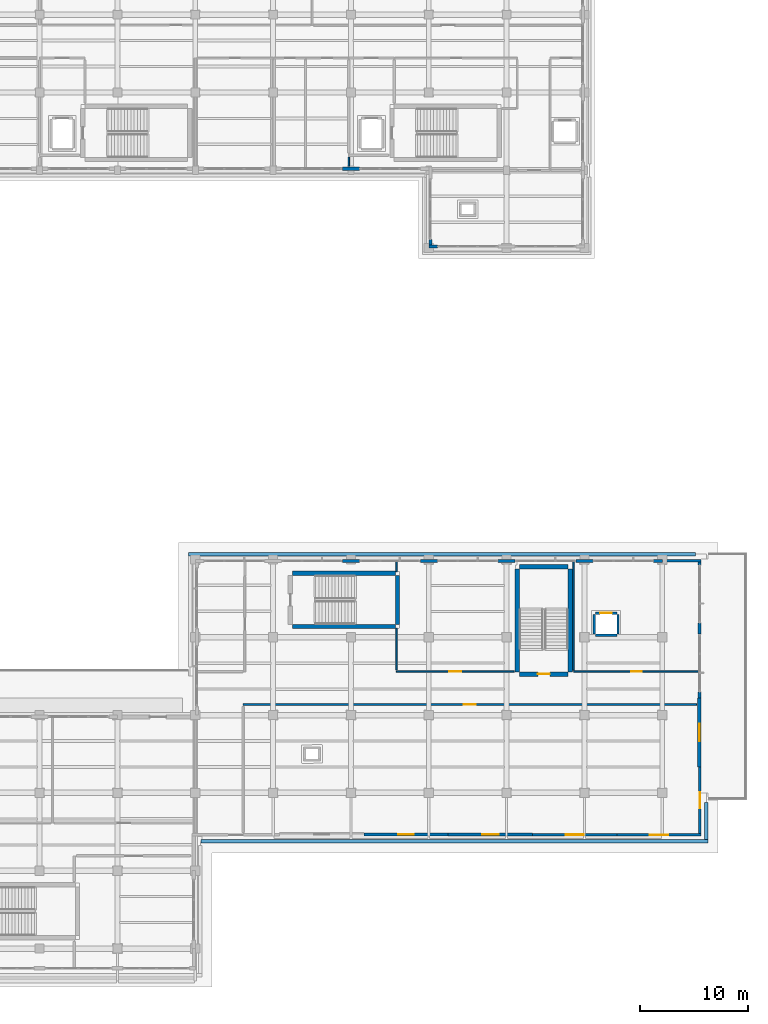
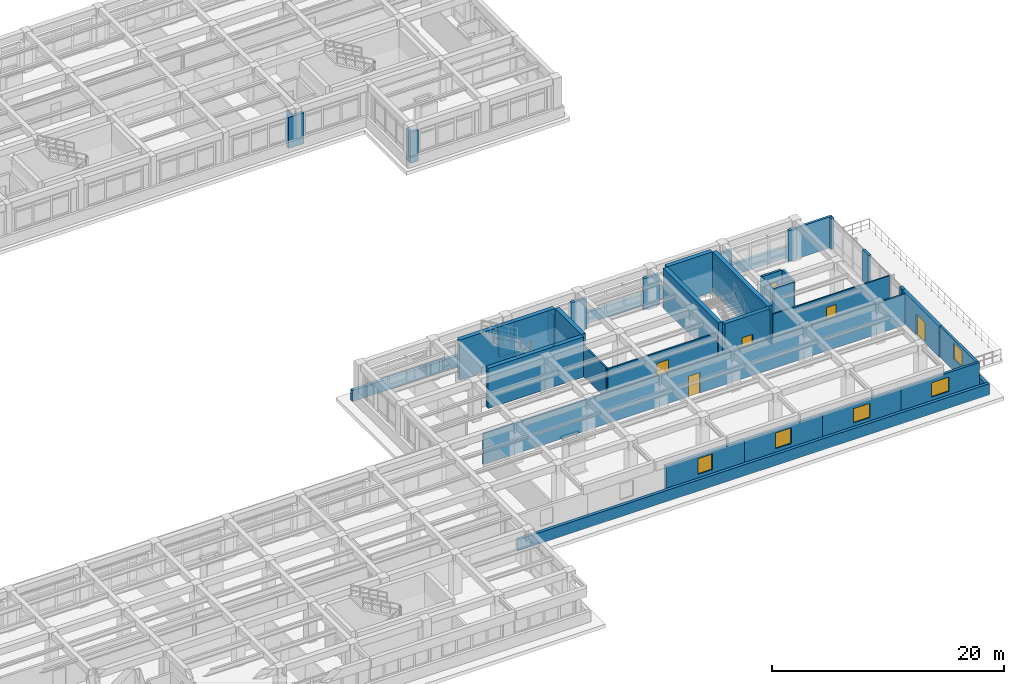
# One storey, part 87 of 98: 39 walls, 6 doors, 5 windows, 11 openings.
"""IFC4 building model written with IfcOpenShell, lengths in metres."""

from ifc_helpers import new_model, si_unit, direction, frame, frame_2d, origin, place, context, subcontext, project, spatial, rectangle, extrude, material, layer, layer_set, type_object, element, fill, save


model = new_model("IFC4")

# Units and contexts
model_context = context("Model", 3, precision=1e-05, world=origin(), true_north=direction((0.0, 1.0)))
body_context = subcontext(model_context, "Body", "Model", "MODEL_VIEW")
ifc_project = project(units=[si_unit("LENGTHUNIT", "METRE"), si_unit("AREAUNIT", "SQUARE_METRE"), si_unit("VOLUMEUNIT", "CUBIC_METRE"), si_unit("PLANEANGLEUNIT", "RADIAN"), si_unit("MASSUNIT", "GRAM", prefix="KILO")], contexts=[model_context])

# Site, building, storey
site_placement = place(None, origin())
site = spatial("IfcSite", under=ifc_project, at=site_placement, CompositionType="ELEMENT")
building_placement = place(site_placement, origin())
building = spatial("IfcBuilding", under=site, at=building_placement, Name="Solenvale Faculty of Natural Sciences", CompositionType="ELEMENT")
storey_placement = place(building_placement, frame((0.0, 0.0, 9.0)))
storey = spatial("IfcBuildingStorey", under=building, at=storey_placement, Name="L02", CompositionType="ELEMENT", Elevation=9.0)

# Walls
ifc_material_1 = material(Name="Architectural bronze concrete 40 MPa", Category="concrete")
ifc_layer_1 = layer(ifc_material_1, 0.300048828125)
ifc_layer_set_1 = layer_set([ifc_layer_1], Name="Architectural bronze concrete 40 MPa")
wall_type_1 = type_object("IfcWallType", Name="WL-EXT-BRZ-300", PredefinedType="STANDARD", material=ifc_layer_set_1)
wall_1_placement = place(storey_placement, frame((114.580078125, 58.069091796875, 0.0), z_axis=(0.0, 0.0, 1.0), x_axis=(1.0, 0.0, 0.0)))
element("IfcWall", 1, at=wall_1_placement, inside=storey, type_object=wall_type_1, Name="L02 Sliding-Tray Rough Bronze Concrete Band 2", PredefinedType="PARAPET", context=body_context, shape_type="SweptSolid", body=[
    extrude(rectangle(XDim=46.889892578125, YDim=0.300048828125, at=frame_2d((23.44482421875, 0.0))), origin(), (0.0, 0.0, 1.0), 1.179931640625),
])
wall_2_placement = place(storey_placement, frame((162.469970703125, 35.1298828125, 0.0), z_axis=(0.0, 0.0, 1.0), x_axis=(-0.000283065589, -0.999999959937, 0.0)))
element("IfcWall", 2, at=wall_2_placement, inside=storey, type_object=wall_type_1, Name="L02 Sliding-Tray Rough Bronze Concrete Band 3", PredefinedType="PARAPET", context=body_context, shape_type="SweptSolid", body=[
    extrude(rectangle(XDim=3.449951171875, YDim=0.300048828125, at=frame_2d((1.72509765625, 0.0))), origin(), (0.0, 0.0, 1.0), 1.179931640625),
])
wall_3_placement = place(storey_placement, frame((162.618896484375, 31.530029296875, 0.0), z_axis=(0.0, 0.0, 1.0), x_axis=(-0.999999999783, 2.0836046e-05, 0.0)))
element("IfcWall", 3, at=wall_3_placement, inside=storey, type_object=wall_type_1, Name="L02 Sliding-Tray Rough Bronze Concrete Band 4", PredefinedType="PARAPET", context=body_context, shape_type="SweptSolid", body=[
    extrude(rectangle(XDim=46.868896484375, YDim=0.300048828125, at=frame_2d((23.4345703125, 0.0))), origin(), (0.0, 0.0, 1.0), 1.179931640625),
])

# Wall, opening, window
ifc_material_2 = material(Name="Precast concrete 40 MPa", Category="concrete")
ifc_layer_2 = layer(ifc_material_2, 0.2451171875)
ifc_layer_set_2 = layer_set([ifc_layer_2], Name="Precast concrete 40 MPa")
wall_type_2 = type_object("IfcWallType", Name="WL-EXT-PRC-245", PredefinedType="STANDARD", material=ifc_layer_set_2)
wall_4_placement = place(storey_placement, frame((162.0, 32.12255859375, 0.0), z_axis=(0.0, 0.0, 1.0), x_axis=(-1.0, 0.0, 0.0)))
wall_4 = element("IfcWall", 4, at=wall_4_placement, inside=storey, type_object=wall_type_2, Name="L02 Exterior Wall 2.6", PredefinedType="STANDARD", context=body_context, shape_type="SweptSolid", body=[
    extrude(rectangle(XDim=7.800048828125, YDim=0.2451171875, at=frame_2d((3.89990234375, 0.0))), origin(), (0.0, 0.0, 1.0), 3.260009765625),
])
opening_1_placement = place(wall_4_placement, frame((3.02490234375, 0.0, 1.280029296875)))
opening_1 = element("IfcOpeningElement", 5, at=opening_1_placement, cuts=wall_4, Name="Opening WN-22", PredefinedType="OPENING", context=body_context, shape_type="SweptSolid", body=[
    extrude(rectangle(XDim=1.75, YDim=1.5, at=frame_2d((0.875, 0.75))), frame((0.0, 0.132568359375, 0.0), z_axis=(0.0, -1.0, 0.0), x_axis=(1.0, 0.0, 0.0)), (0.0, 0.0, 1.0), 0.26513671875),
])
ifc_material_3 = material(Name="Triple low-E insulated glass", Category="glass")
window_type_1 = type_object("IfcWindowType", Name="WN-1750x1500", PartitioningType="SINGLE_PANEL", PredefinedType="WINDOW", material=ifc_material_3)
window_1_placement = place(opening_1_placement, origin())
window_1 = element("IfcWindow", 6, at=window_1_placement, inside=storey, type_object=window_type_1, Name="L02 Window 2.6", OverallHeight=1.5, OverallWidth=1.75, PartitioningType="SINGLE_PANEL", PredefinedType="WINDOW", context=body_context, shape_type="SweptSolid", body=[
    extrude(rectangle(XDim=1.75, YDim=1.5, at=frame_2d((0.875, 0.75))), frame((0.0, 0.030029296875, 0.0), z_axis=(0.0, -1.0, 0.0), x_axis=(1.0, 0.0, 0.0)), (0.0, 0.0, 1.0), 0.06005859375),
])
fill(opening_1, window_1)

wall_5_placement = place(storey_placement, frame((161.87744140625, 38.39990234375, 0.0), z_axis=(0.0, 0.0, 1.0), x_axis=(0.0, -1.0, 0.0)))
wall_5 = element("IfcWall", 7, at=wall_5_placement, inside=storey, type_object=wall_type_2, Name="L02 Exterior Wall 3.1", PredefinedType="STANDARD", context=body_context, shape_type="SweptSolid", body=[
    extrude(rectangle(XDim=6.15478515625, YDim=0.2451171875, at=frame_2d((3.077392578125, 0.0))), origin(), (0.0, 0.0, 1.0), 3.260009765625),
])
opening_2_placement = place(wall_5_placement, frame((2.35302734375, 0.0, 1.280029296875)))
opening_2 = element("IfcOpeningElement", 8, at=opening_2_placement, cuts=wall_5, Name="Opening WN-19", PredefinedType="OPENING", context=body_context, shape_type="SweptSolid", body=[
    extrude(rectangle(XDim=1.449951171875, YDim=1.64990234375, at=frame_2d((0.72509765625, 0.824951171875))), frame((0.0, 0.132568359375, 0.0), z_axis=(0.0, -1.0, 0.0), x_axis=(1.0, 0.0, 0.0)), (0.0, 0.0, 1.0), 0.26513671875),
])
window_type_2 = type_object("IfcWindowType", Name="WN-1450x1650", PartitioningType="SINGLE_PANEL", PredefinedType="WINDOW", material=ifc_material_3)
window_2_placement = place(opening_2_placement, origin())
window_2 = element("IfcWindow", 9, at=window_2_placement, inside=storey, type_object=window_type_2, Name="L02 Window 3.1", OverallHeight=1.64990234375, OverallWidth=1.449951171875, PartitioningType="SINGLE_PANEL", PredefinedType="WINDOW", context=body_context, shape_type="SweptSolid", body=[
    extrude(rectangle(XDim=1.449951171875, YDim=1.64990234375, at=frame_2d((0.72509765625, 0.824951171875))), frame((0.0, 0.030029296875, 0.0), z_axis=(0.0, -1.0, 0.0), x_axis=(1.0, 0.0, 0.0)), (0.0, 0.0, 1.0), 0.06005859375),
])
fill(opening_2, window_2)

# Wall
wall_6_placement = place(storey_placement, frame((158.39990234375, 57.4775390625, 0.0), z_axis=(0.0, 0.0, 1.0), x_axis=(1.0, 0.0, 0.0)))
element("IfcWall", 10, at=wall_6_placement, inside=storey, type_object=wall_type_2, Name="L02 Exterior Wall 4.1", PredefinedType="STANDARD", context=body_context, shape_type="SweptSolid", body=[
    extrude(rectangle(XDim=3.60009765625, YDim=0.2451171875, at=frame_2d((1.800048828125, 0.0))), origin(), (0.0, 0.0, 1.0), 3.260009765625),
])

# Wall, opening, window
ifc_layer_3 = layer(ifc_material_2, 0.264892578125)
ifc_layer_set_3 = layer_set([ifc_layer_3], Name="Precast concrete 40 MPa")
wall_type_3 = type_object("IfcWallType", Name="WL-EXT-PRC-265", PredefinedType="STANDARD", material=ifc_layer_set_3)
wall_7_placement = place(storey_placement, frame((154.199951171875, 32.132568359375, 0.0), z_axis=(0.0, 0.0, 1.0), x_axis=(-1.0, 0.0, 0.0)))
wall_7 = element("IfcWall", 11, at=wall_7_placement, inside=storey, type_object=wall_type_3, Name="L02 Exterior Wall 2.5", PredefinedType="STANDARD", context=body_context, shape_type="SweptSolid", body=[
    extrude(rectangle(XDim=7.800048828125, YDim=0.264892578125, at=frame_2d((3.89990234375, 0.0))), origin(), (0.0, 0.0, 1.0), 3.260009765625),
])
opening_3_placement = place(wall_7_placement, frame((3.074951171875, 0.0, 1.280029296875)))
opening_3 = element("IfcOpeningElement", 12, at=opening_3_placement, cuts=wall_7, Name="Opening WN-21", PredefinedType="OPENING", context=body_context, shape_type="SweptSolid", body=[
    extrude(rectangle(XDim=1.64990234375, YDim=1.5, at=frame_2d((0.824951171875, 0.75))), frame((0.0, 0.142333984375, 0.0), z_axis=(0.0, -1.0, 0.0), x_axis=(1.0, 0.0, 0.0)), (0.0, 0.0, 1.0), 0.284912109375),
])
window_type_3 = type_object("IfcWindowType", Name="WN-1650x1500", PartitioningType="SINGLE_PANEL", PredefinedType="WINDOW", material=ifc_material_3)
window_3_placement = place(opening_3_placement, origin())
window_3 = element("IfcWindow", 13, at=window_3_placement, inside=storey, type_object=window_type_3, Name="L02 Window 2.5", OverallHeight=1.5, OverallWidth=1.64990234375, PartitioningType="SINGLE_PANEL", PredefinedType="WINDOW", context=body_context, shape_type="SweptSolid", body=[
    extrude(rectangle(XDim=1.64990234375, YDim=1.5, at=frame_2d((0.824951171875, 0.75))), frame((0.0, 0.030029296875, 0.0), z_axis=(0.0, -1.0, 0.0), x_axis=(1.0, 0.0, 0.0)), (0.0, 0.0, 1.0), 0.06005859375),
])
fill(opening_3, window_3)

ifc_layer_4 = layer(ifc_material_2, 0.284912109375)
ifc_layer_set_4 = layer_set([ifc_layer_4], Name="Precast concrete 40 MPa")
wall_type_4 = type_object("IfcWallType", Name="WL-EXT-PRC-285", PredefinedType="STANDARD", material=ifc_layer_set_4)
wall_8_placement = place(storey_placement, frame((146.39990234375, 32.142578125, 0.0), z_axis=(0.0, 0.0, 1.0), x_axis=(-1.0, 0.0, 0.0)))
wall_8 = element("IfcWall", 14, at=wall_8_placement, inside=storey, type_object=wall_type_4, Name="L02 Exterior Wall 2.4", PredefinedType="STANDARD", context=body_context, shape_type="SweptSolid", body=[
    extrude(rectangle(XDim=7.7998046875, YDim=0.284912109375, at=frame_2d((3.89990234375, 0.0))), origin(), (0.0, 0.0, 1.0), 3.260009765625),
])
opening_4_placement = place(wall_8_placement, frame((3.125, 0.0, 1.280029296875)))
opening_4 = element("IfcOpeningElement", 15, at=opening_4_placement, cuts=wall_8, Name="Opening WN-20", PredefinedType="OPENING", context=body_context, shape_type="SweptSolid", body=[
    extrude(rectangle(XDim=1.550048828125, YDim=1.64990234375, at=frame_2d((0.77490234375, 0.824951171875))), frame((0.0, 0.15234375, 0.0), z_axis=(0.0, -1.0, 0.0), x_axis=(1.0, 0.0, 0.0)), (0.0, 0.0, 1.0), 0.304931640625),
])
window_type_4 = type_object("IfcWindowType", Name="WN-1550x1650", PartitioningType="SINGLE_PANEL", PredefinedType="WINDOW", material=ifc_material_3)
window_4_placement = place(opening_4_placement, origin())
window_4 = element("IfcWindow", 16, at=window_4_placement, inside=storey, type_object=window_type_4, Name="L02 Window 2.4", OverallHeight=1.64990234375, OverallWidth=1.550048828125, PartitioningType="SINGLE_PANEL", PredefinedType="WINDOW", context=body_context, shape_type="SweptSolid", body=[
    extrude(rectangle(XDim=1.550048828125, YDim=1.64990234375, at=frame_2d((0.77490234375, 0.824951171875))), frame((0.0, 0.030029296875, 0.0), z_axis=(0.0, -1.0, 0.0), x_axis=(1.0, 0.0, 0.0)), (0.0, 0.0, 1.0), 0.06005859375),
])
fill(opening_4, window_4)

# Walls
wall_9_placement = place(storey_placement, frame((161.857421875, 44.800048828125, 0.0), z_axis=(0.0, 0.0, 1.0), x_axis=(0.0, 1.0, 0.0)))
element("IfcWall", 17, at=wall_9_placement, inside=storey, type_object=wall_type_4, Name="L02 Facade Closure Pier 3.B3-L", PredefinedType="STANDARD", context=body_context, shape_type="SweptSolid", body=[
    extrude(rectangle(XDim=0.51806640625, YDim=0.284912109375, at=frame_2d((0.259033203125, 0.0))), origin(), (0.0, 0.0, 1.0), 3.260009765625),
])
wall_10_placement = place(storey_placement, frame((161.857421875, 50.681884765625, 0.0), z_axis=(0.0, 0.0, 1.0), x_axis=(0.0, 1.0, 0.0)))
element("IfcWall", 18, at=wall_10_placement, inside=storey, type_object=wall_type_4, Name="L02 Facade Closure Pier 3.B3-R", PredefinedType="STANDARD", context=body_context, shape_type="SweptSolid", body=[
    extrude(rectangle(XDim=1.0361328125, YDim=0.284912109375, at=frame_2d((0.51806640625, 0.0))), origin(), (0.0, 0.0, 1.0), 3.260009765625),
])
wall_11_placement = place(storey_placement, frame((161.857421875, 57.08203125, 0.0), z_axis=(0.0, 0.0, 1.0), x_axis=(0.0, 1.0, 0.0)))
element("IfcWall", 19, at=wall_11_placement, inside=storey, type_object=wall_type_4, Name="L02 Facade Closure Pier 3.B4-R", PredefinedType="STANDARD", context=body_context, shape_type="SweptSolid", body=[
    extrude(rectangle(XDim=0.27294921875, YDim=0.284912109375, at=frame_2d((0.136474609375, 0.0))), origin(), (0.0, 0.0, 1.0), 3.260009765625),
])
wall_12_placement = place(storey_placement, frame((158.39990234375, 57.45751953125, 0.0), z_axis=(0.0, 0.0, 1.0), x_axis=(-1.0, 0.0, 0.0)))
element("IfcWall", 20, at=wall_12_placement, inside=storey, type_object=wall_type_4, Name="L02 Facade Closure Pier 4.B2-L", PredefinedType="STANDARD", context=body_context, shape_type="SweptSolid", body=[
    extrude(rectangle(XDim=0.787841796875, YDim=0.284912109375, at=frame_2d((0.39404296875, 0.0))), origin(), (0.0, 0.0, 1.0), 3.260009765625),
])
wall_13_placement = place(storey_placement, frame((151.988037109375, 57.45751953125, 0.0), z_axis=(0.0, 0.0, 1.0), x_axis=(-1.0, 0.0, 0.0)))
element("IfcWall", 21, at=wall_13_placement, inside=storey, type_object=wall_type_4, Name="L02 Facade Closure Pier 4.B2-R", PredefinedType="STANDARD", context=body_context, shape_type="SweptSolid", body=[
    extrude(rectangle(XDim=1.575927734375, YDim=0.284912109375, at=frame_2d((0.7880859375, 0.0))), origin(), (0.0, 0.0, 1.0), 3.260009765625),
])
wall_14_placement = place(storey_placement, frame((144.7880859375, 57.45751953125, 0.0), z_axis=(0.0, 0.0, 1.0), x_axis=(-1.0, 0.0, 0.0)))
element("IfcWall", 22, at=wall_14_placement, inside=storey, type_object=wall_type_4, Name="L02 Facade Closure Pier 4.B3-R", PredefinedType="STANDARD", context=body_context, shape_type="SweptSolid", body=[
    extrude(rectangle(XDim=1.576171875, YDim=0.284912109375, at=frame_2d((0.7880859375, 0.0))), origin(), (0.0, 0.0, 1.0), 3.260009765625),
])
for number, where, z_axis, x_axis, name in (
    (23, (137.587890625, 57.45751953125, 0.0), (0.0, 0.0, 1.0), (-1.0, 0.0, 0.0), "L02 Facade Closure Pier 4.B4-R"),
    (24, (130.387939453125, 57.45751953125, 0.0), (0.0, 0.0, 1.0), (-1.0, 0.0, 0.0), "L02 Facade Closure Pier 4.B5-R"),
):
    element("IfcWall", number, at=place(storey_placement, frame(where, z_axis=z_axis, x_axis=x_axis)), inside=storey, type_object=wall_type_4, Name=name, PredefinedType="STANDARD", context=body_context, shape_type="SweptSolid", body=[
        extrude(rectangle(XDim=1.575927734375, YDim=0.284912109375, at=frame_2d((0.7880859375, 0.0))), origin(), (0.0, 0.0, 1.0), 3.260009765625),
    ])
wall_15_placement = place(storey_placement, frame((136.800048828125, 86.54248046875, 0.0), z_axis=(0.0, 0.0, 1.0), x_axis=(1.0, 0.0, 0.0)))
element("IfcWall", 25, at=wall_15_placement, inside=storey, type_object=wall_type_4, Name="L02 Facade Closure Pier 1.B1-L", PredefinedType="STANDARD", context=body_context, shape_type="SweptSolid", body=[
    extrude(rectangle(XDim=0.787841796875, YDim=0.284912109375, at=frame_2d((0.39404296875, 0.0))), origin(), (0.0, 0.0, 1.0), 3.260009765625),
])
wall_16_placement = place(storey_placement, frame((128.81201171875, 93.742431640625, 0.0), z_axis=(0.0, 0.0, 1.0), x_axis=(1.0, 0.0, 0.0)))
element("IfcWall", 26, at=wall_16_placement, inside=storey, type_object=wall_type_4, Name="L02 Facade Closure Pier 6.B7-R", PredefinedType="STANDARD", context=body_context, shape_type="SweptSolid", body=[
    extrude(rectangle(XDim=1.575927734375, YDim=0.284912109375, at=frame_2d((0.7880859375, 0.0))), origin(), (0.0, 0.0, 1.0), 3.260009765625),
])
wall_17_placement = place(storey_placement, frame((136.9423828125, 87.18798828125, 0.0), z_axis=(0.0, 0.0, 1.0), x_axis=(0.0, -1.0, 0.0)))
element("IfcWall", 27, at=wall_17_placement, inside=storey, type_object=wall_type_4, Name="L02 Facade Closure Pier 7.B1-R", PredefinedType="STANDARD", context=body_context, shape_type="SweptSolid", body=[
    extrude(rectangle(XDim=0.5029296875, YDim=0.284912109375, at=frame_2d((0.25146484375, 0.0))), origin(), (0.0, 0.0, 1.0), 3.260009765625),
])

# Wall, opening, window
ifc_layer_5 = layer(ifc_material_2, 0.304931640625)
ifc_layer_set_5 = layer_set([ifc_layer_5], Name="Precast concrete 40 MPa")
wall_type_5 = type_object("IfcWallType", Name="WL-EXT-PRC-305", PredefinedType="STANDARD", material=ifc_layer_set_5)
wall_18_placement = place(storey_placement, frame((138.60009765625, 32.152587890625, 0.0), z_axis=(0.0, 0.0, 1.0), x_axis=(-1.0, 0.0, 0.0)))
wall_18 = element("IfcWall", 28, at=wall_18_placement, inside=storey, type_object=wall_type_5, Name="L02 Exterior Wall 2.3", PredefinedType="STANDARD", context=body_context, shape_type="SweptSolid", body=[
    extrude(rectangle(XDim=7.800048828125, YDim=0.304931640625, at=frame_2d((3.89990234375, 0.0))), origin(), (0.0, 0.0, 1.0), 3.260009765625),
])
opening_5_placement = place(wall_18_placement, frame((3.175048828125, 0.0, 1.280029296875)))
opening_5 = element("IfcOpeningElement", 29, at=opening_5_placement, cuts=wall_18, Name="Opening WN-19", PredefinedType="OPENING", context=body_context, shape_type="SweptSolid", body=[
    extrude(rectangle(XDim=1.449951171875, YDim=1.64990234375, at=frame_2d((0.72509765625, 0.824951171875))), frame((0.0, 0.162353515625, 0.0), z_axis=(0.0, -1.0, 0.0), x_axis=(1.0, 0.0, 0.0)), (0.0, 0.0, 1.0), 0.324951171875),
])
window_5_placement = place(opening_5_placement, origin())
window_5 = element("IfcWindow", 30, at=window_5_placement, inside=storey, type_object=window_type_2, Name="L02 Window 2.3", OverallHeight=1.64990234375, OverallWidth=1.449951171875, PartitioningType="SINGLE_PANEL", PredefinedType="WINDOW", context=body_context, shape_type="SweptSolid", body=[
    extrude(rectangle(XDim=1.449951171875, YDim=1.64990234375, at=frame_2d((0.72509765625, 0.824951171875))), frame((0.0, 0.030029296875, 0.0), z_axis=(0.0, -1.0, 0.0), x_axis=(1.0, 0.0, 0.0)), (0.0, 0.0, 1.0), 0.06005859375),
])
fill(opening_5, window_5)

# Wall, opening, door
ifc_layer_6 = layer(ifc_material_2, 0.330078125)
ifc_layer_set_6 = layer_set([ifc_layer_6], Name="Precast concrete 40 MPa")
wall_type_6 = type_object("IfcWallType", Name="WL-EXT-PRC-330", PredefinedType="STANDARD", material=ifc_layer_set_6)
wall_19_placement = place(storey_placement, frame((161.8349609375, 44.800048828125, 0.0), z_axis=(0.0, 0.0, 1.0), x_axis=(0.0, -1.0, 0.0)))
wall_19 = element("IfcWall", 31, at=wall_19_placement, inside=storey, type_object=wall_type_6, Name="L02 Exterior Wall 3.2", PredefinedType="STANDARD", context=body_context, shape_type="SweptSolid", body=[
    extrude(rectangle(XDim=6.400146484375, YDim=0.330078125, at=frame_2d((3.2001953125, 0.0))), origin(), (0.0, 0.0, 1.0), 3.260009765625),
])
opening_6_placement = place(wall_19_placement, frame((2.39990234375, 0.0, 0.0)))
opening_6 = element("IfcOpeningElement", 32, at=opening_6_placement, cuts=wall_19, Name="Opening TD-37", PredefinedType="OPENING", context=body_context, shape_type="SweptSolid", body=[
    extrude(rectangle(XDim=1.60009765625, YDim=2.199951171875, at=frame_2d((0.800048828125, 1.10009765625))), frame((0.0, 0.175048828125, 0.0), z_axis=(0.0, -1.0, 0.0), x_axis=(1.0, 0.0, 0.0)), (0.0, 0.0, 1.0), 0.35009765625),
])
ifc_material_4 = material(Name="Anodised bronze aluminium", Category="aluminium")
door_type_1 = type_object("IfcDoorType", Name="DR-TER-1600x2200", OperationType="NOTDEFINED", PredefinedType="DOOR", material=ifc_material_4)
door_1_placement = place(opening_6_placement, origin())
door_1 = element("IfcDoor", 33, at=door_1_placement, inside=storey, type_object=door_type_1, Name="L02 Exterior Terrace Door TD-37", OperationType="DOUBLE_DOOR_SINGLE_SWING", OverallHeight=2.199951171875, OverallWidth=1.60009765625, PredefinedType="DOOR", context=body_context, shape_type="SweptSolid", body=[
    extrude(rectangle(XDim=1.60009765625, YDim=2.199951171875, at=frame_2d((0.800048828125, 1.10009765625))), frame((0.0, 0.02490234375, 0.0), z_axis=(0.0, -1.0, 0.0), x_axis=(1.0, 0.0, 0.0)), (0.0, 0.0, 1.0), 0.050048828125),
])
fill(opening_6, door_1)

ifc_material_5 = material(Name="Acoustic stud gypsum partition")
ifc_layer_7 = layer(ifc_material_5, 0.132080078125)
ifc_layer_set_7 = layer_set([ifc_layer_7], Name="Acoustic stud gypsum partition")
wall_type_7 = type_object("IfcWallType", Name="WL-OFF-132", PredefinedType="PARTITIONING", material=ifc_layer_set_7)
wall_20_placement = place(storey_placement, frame((161.81689453125, 47.219970703125, 0.0), z_axis=(0.0, 0.0, 1.0), x_axis=(-1.0, 0.0, 0.0)))
wall_20 = element("IfcWall", 34, at=wall_20_placement, inside=storey, type_object=wall_type_7, Name="L02 Faculty Staff Office Partition 2", PredefinedType="PARTITIONING", context=body_context, shape_type="SweptSolid", body=[
    extrude(rectangle(XDim=11.616943359375, YDim=0.132080078125, at=frame_2d((5.80859375, 0.0))), origin(), (0.0, 0.0, 1.0), 3.260009765625),
])
opening_7_placement = place(wall_20_placement, frame((5.333984375, 0.0, 0.0)))
opening_7 = element("IfcOpeningElement", 35, at=opening_7_placement, cuts=wall_20, Name="Opening D-L02-13", PredefinedType="OPENING", context=body_context, shape_type="SweptSolid", body=[
    extrude(rectangle(XDim=0.949951171875, YDim=2.10009765625, at=frame_2d((0.47509765625, 1.050048828125))), frame((0.0, 0.075927734375, 0.0), z_axis=(0.0, -1.0, 0.0), x_axis=(1.0, 0.0, 0.0)), (0.0, 0.0, 1.0), 0.152099609375),
])
ifc_material_6 = material(Name="Oak acoustic timber leaf", Category="wood")
door_type_2 = type_object("IfcDoorType", Name="DR-OFF-0950x2100", OperationType="NOTDEFINED", PredefinedType="DOOR", material=ifc_material_6)
door_2_placement = place(opening_7_placement, origin())
door_2 = element("IfcDoor", 36, at=door_2_placement, inside=storey, type_object=door_type_2, Name="L02 Faculty Staff Office Door", OperationType="SINGLE_SWING_RIGHT", OverallHeight=2.10009765625, OverallWidth=0.949951171875, PredefinedType="DOOR", context=body_context, shape_type="SweptSolid", body=[
    extrude(rectangle(XDim=0.949951171875, YDim=2.10009765625, at=frame_2d((0.47509765625, 1.050048828125))), frame((0.0, 0.02490234375, 0.0), z_axis=(0.0, -1.0, 0.0), x_axis=(1.0, 0.0, 0.0)), (0.0, 0.0, 1.0), 0.050048828125),
])
fill(opening_7, door_2)

# Walls
wall_21_placement = place(storey_placement, frame((150.199951171875, 47.364013671875, 0.0), z_axis=(0.0, 0.0, 1.0), x_axis=(0.0, 1.0, 0.0)))
element("IfcWall", 37, at=wall_21_placement, inside=storey, type_object=wall_type_7, Name="L02 Faculty Staff Office Partition 3", PredefinedType="PARTITIONING", context=body_context, shape_type="SweptSolid", body=[
    extrude(rectangle(XDim=10.053955078125, YDim=0.132080078125, at=frame_2d((5.02685546875, 0.0))), origin(), (0.0, 0.0, 1.0), 3.260009765625),
])
ifc_layer_8 = layer(ifc_material_5, 0.139892578125)
ifc_layer_set_8 = layer_set([ifc_layer_8], Name="Acoustic stud gypsum partition")
wall_type_8 = type_object("IfcWallType", Name="WL-OFF-140", PredefinedType="PARTITIONING", material=ifc_layer_set_8)
wall_22_placement = place(storey_placement, frame((129.39990234375, 94.81591796875, 0.0), z_axis=(0.0, 0.0, 1.0), x_axis=(0.0, -1.0, 0.0)))
element("IfcWall", 38, at=wall_22_placement, inside=storey, type_object=wall_type_8, Name="L02 Instrument Preparation Room Partition 20", PredefinedType="PARTITIONING", context=body_context, shape_type="SweptSolid", body=[
    extrude(rectangle(XDim=0.848876953125, YDim=0.139892578125, at=frame_2d((0.42431640625, 0.0))), origin(), (0.0, 0.0, 1.0), 3.260009765625),
])

# Wall, opening, door
ifc_material_7 = material(Name="Acoustic double-stud gypsum partition")
ifc_layer_9 = layer(ifc_material_7, 0.155029296875)
ifc_layer_set_9 = layer_set([ifc_layer_9], Name="Acoustic double-stud gypsum partition")
wall_type_9 = type_object("IfcWallType", Name="WL-SEM-155", PredefinedType="PARTITIONING", material=ifc_layer_set_9)
wall_23_placement = place(storey_placement, frame((144.700927734375, 47.219970703125, 0.0), z_axis=(0.0, 0.0, 1.0), x_axis=(-1.0, 0.0, 0.0)))
wall_23 = element("IfcWall", 39, at=wall_23_placement, inside=storey, type_object=wall_type_9, Name="L02 Science Library Reference Reading Hall Partition 7", PredefinedType="PARTITIONING", context=body_context, shape_type="SweptSolid", body=[
    extrude(rectangle(XDim=10.90087890625, YDim=0.155029296875, at=frame_2d((5.450439453125, 0.0))), origin(), (0.0, 0.0, 1.0), 3.260009765625),
])
opening_8_placement = place(wall_23_placement, frame((4.875, 0.0, 0.0)))
opening_8 = element("IfcOpeningElement", 40, at=opening_8_placement, cuts=wall_23, Name="Opening D-L02-12", PredefinedType="OPENING", context=body_context, shape_type="SweptSolid", body=[
    extrude(rectangle(XDim=1.14990234375, YDim=2.14990234375, at=frame_2d((0.574951171875, 1.074951171875))), frame((0.0, 0.08740234375, 0.0), z_axis=(0.0, -1.0, 0.0), x_axis=(1.0, 0.0, 0.0)), (0.0, 0.0, 1.0), 0.175048828125),
])
door_type_3 = type_object("IfcDoorType", Name="DR-SEM-1150x2150", OperationType="NOTDEFINED", PredefinedType="DOOR", material=ifc_material_6)
door_3_placement = place(opening_8_placement, origin())
door_3 = element("IfcDoor", 41, at=door_3_placement, inside=storey, type_object=door_type_3, Name="L02 Science Library Reference Reading Hall Door", OperationType="SINGLE_SWING_LEFT", OverallHeight=2.14990234375, OverallWidth=1.14990234375, PredefinedType="DOOR", context=body_context, shape_type="SweptSolid", body=[
    extrude(rectangle(XDim=1.14990234375, YDim=2.14990234375, at=frame_2d((0.574951171875, 1.074951171875))), frame((0.0, 0.02490234375, 0.0), z_axis=(0.0, -1.0, 0.0), x_axis=(1.0, 0.0, 0.0)), (0.0, 0.0, 1.0), 0.050048828125),
])
fill(opening_8, door_3)

# Walls
wall_24_placement = place(storey_placement, frame((133.800048828125, 47.386962890625, 0.0), z_axis=(0.0, 0.0, 1.0), x_axis=(0.0, 1.0, 0.0)))
element("IfcWall", 42, at=wall_24_placement, inside=storey, type_object=wall_type_9, Name="L02 Science Library Reference Reading Hall Partition 8", PredefinedType="PARTITIONING", context=body_context, shape_type="SweptSolid", body=[
    extrude(rectangle(XDim=3.863037109375, YDim=0.155029296875, at=frame_2d((1.931640625, 0.0))), origin(), (0.0, 0.0, 1.0), 3.260009765625),
])
wall_25_placement = place(storey_placement, frame((133.800048828125, 56.449951171875, 0.0), z_axis=(0.0, 0.0, 1.0), x_axis=(0.0, 1.0, 0.0)))
element("IfcWall", 43, at=wall_25_placement, inside=storey, type_object=wall_type_9, Name="L02 Science Library Reference Reading Hall Partition 34", PredefinedType="PARTITIONING", context=body_context, shape_type="SweptSolid", body=[
    extrude(rectangle(XDim=0.968017578125, YDim=0.155029296875, at=frame_2d((0.48388671875, 0.0))), origin(), (0.0, 0.0, 1.0), 3.260009765625),
])

# Wall, opening, door
ifc_layer_10 = layer(ifc_material_7, 0.179931640625)
ifc_layer_set_10 = layer_set([ifc_layer_10], Name="Acoustic double-stud gypsum partition")
wall_type_10 = type_object("IfcWallType", Name="WL-SEM-180", PredefinedType="PARTITIONING", material=ifc_layer_set_10)
wall_26_placement = place(storey_placement, frame((119.6201171875, 44.179931640625, 0.0), z_axis=(0.0, 0.0, 1.0), x_axis=(1.0, 0.0, 0.0)))
wall_26 = element("IfcWall", 44, at=wall_26_placement, inside=storey, type_object=wall_type_10, Name="L02 Learning Commons South Reading Hall Partition 1", PredefinedType="PARTITIONING", context=body_context, shape_type="SweptSolid", body=[
    extrude(rectangle(XDim=41.947998046875, YDim=0.179931640625, at=frame_2d((20.97412109375, 0.0))), origin(), (0.0, 0.0, 1.0), 3.260009765625),
])
opening_9_placement = place(wall_26_placement, frame((20.4140625, 0.0, 0.0)))
opening_9 = element("IfcOpeningElement", 45, at=opening_9_placement, cuts=wall_26, Name="Opening D-L02-03", PredefinedType="OPENING", context=body_context, shape_type="SweptSolid", body=[
    extrude(rectangle(XDim=1.1201171875, YDim=2.14990234375, at=frame_2d((0.56005859375, 1.074951171875))), frame((0.0, 0.099853515625, 0.0), z_axis=(0.0, -1.0, 0.0), x_axis=(1.0, 0.0, 0.0)), (0.0, 0.0, 1.0), 0.199951171875),
])
door_type_4 = type_object("IfcDoorType", Name="DR-SEM-1120x2150", OperationType="NOTDEFINED", PredefinedType="DOOR", material=ifc_material_6)
door_4_placement = place(opening_9_placement, origin())
door_4 = element("IfcDoor", 46, at=door_4_placement, inside=storey, type_object=door_type_4, Name="L02 Learning Commons South Reading Hall Door", OperationType="SINGLE_SWING_RIGHT", OverallHeight=2.14990234375, OverallWidth=1.1201171875, PredefinedType="DOOR", context=body_context, shape_type="SweptSolid", body=[
    extrude(rectangle(XDim=1.1201171875, YDim=2.14990234375, at=frame_2d((0.56005859375, 1.074951171875))), frame((0.0, 0.02490234375, 0.0), z_axis=(0.0, -1.0, 0.0), x_axis=(1.0, 0.0, 0.0)), (0.0, 0.0, 1.0), 0.050048828125),
])
fill(opening_9, door_4)

# Wall
ifc_material_8 = material(Name="Concrete 40 MPa", Category="concrete")
ifc_layer_11 = layer(ifc_material_8, 0.219970703125)
ifc_layer_set_11 = layer_set([ifc_layer_11], Name="Concrete 40 MPa")
wall_type_11 = type_object("IfcWallType", Name="WL-SHF-220", PredefinedType="STANDARD", material=ifc_layer_set_11)
wall_27_placement = place(storey_placement, frame((152.205078125, 50.570068359375, 0.0), z_axis=(0.0, 0.0, 1.0), x_axis=(1.0, 0.0, 0.0)))
element("IfcWall", 47, at=wall_27_placement, inside=storey, type_object=wall_type_11, Name="Elevator LP-02 L02 Shaft Wall S", PredefinedType="STANDARD", context=body_context, shape_type="SweptSolid", body=[
    extrude(rectangle(XDim=1.989990234375, YDim=0.219970703125, at=frame_2d((0.9951171875, 0.0))), origin(), (0.0, 0.0, 1.0), 3.260009765625),
])

# Wall, opening, door
wall_28_placement = place(storey_placement, frame((152.205078125, 52.6298828125, 0.0), z_axis=(0.0, 0.0, 1.0), x_axis=(1.0, 0.0, 0.0)))
wall_28 = element("IfcWall", 48, at=wall_28_placement, inside=storey, type_object=wall_type_11, Name="Elevator LP-02 L02 Shaft Wall N", PredefinedType="STANDARD", context=body_context, shape_type="SweptSolid", body=[
    extrude(rectangle(XDim=1.989990234375, YDim=0.219970703125, at=frame_2d((0.9951171875, 0.0))), origin(), (0.0, 0.0, 1.0), 3.260009765625),
])
opening_10_placement = place(wall_28_placement, frame((0.445068359375, 0.0, 0.0)))
opening_10 = element("IfcOpeningElement", 49, at=opening_10_placement, cuts=wall_28, Name="Opening LD-LP-02-L02", PredefinedType="OPENING", context=body_context, shape_type="SweptSolid", body=[
    extrude(rectangle(XDim=1.10009765625, YDim=2.14990234375, at=frame_2d((0.550048828125, 1.074951171875))), frame((0.0, 0.119873046875, 0.0), z_axis=(0.0, -1.0, 0.0), x_axis=(1.0, 0.0, 0.0)), (0.0, 0.0, 1.0), 0.239990234375),
])
ifc_material_9 = material(Name="Stainless steel Grade 304", Category="steel")
door_type_5 = type_object("IfcDoorType", Name="DR-LIFT-1100x2150", OperationType="NOTDEFINED", PredefinedType="DOOR", material=ifc_material_9)
door_5_placement = place(opening_10_placement, origin())
door_5 = element("IfcDoor", 50, at=door_5_placement, inside=storey, type_object=door_type_5, Name="Elevator LP-02 L02 Sliding Landing Door", OperationType="SLIDING_TO_RIGHT", OverallHeight=2.14990234375, OverallWidth=1.10009765625, PredefinedType="DOOR", context=body_context, shape_type="SweptSolid", body=[
    extrude(rectangle(XDim=1.10009765625, YDim=2.14990234375, at=frame_2d((0.550048828125, 1.074951171875))), frame((0.0, 0.02490234375, 0.0), z_axis=(0.0, -1.0, 0.0), x_axis=(1.0, 0.0, 0.0)), (0.0, 0.0, 1.0), 0.050048828125),
])
fill(opening_10, door_5)

# Walls
for number, where, z_axis, x_axis, name in (
    (51, (152.094970703125, 50.679931640625, 0.0), (0.0, 0.0, 1.0), (0.0, 1.0, 0.0), "Elevator LP-02 L02 Shaft Wall W"),
    (52, (154.304931640625, 50.679931640625, 0.0), (0.0, 0.0, 1.0), (0.0, 1.0, 0.0), "Elevator LP-02 L02 Shaft Wall E"),
):
    element("IfcWall", number, at=place(storey_placement, frame(where, z_axis=z_axis, x_axis=x_axis)), inside=storey, type_object=wall_type_11, Name=name, PredefinedType="STANDARD", context=body_context, shape_type="SweptSolid", body=[
        extrude(rectangle(XDim=1.840087890625, YDim=0.219970703125, at=frame_2d((0.919921875, 0.0))), origin(), (0.0, 0.0, 1.0), 3.260009765625),
    ])

# Wall, opening, door
ifc_material_10 = material(Name="Concrete 50 MPa", Category="concrete")
ifc_layer_12 = layer(ifc_material_10, 0.409912109375)
ifc_layer_set_12 = layer_set([ifc_layer_12], Name="Concrete 50 MPa")
wall_type_12 = type_object("IfcWallType", Name="WL-SHR-410", PredefinedType="SHEAR", material=ifc_layer_set_12)
wall_29_placement = place(storey_placement, frame((145.199951171875, 46.9951171875, 0.0), z_axis=(0.0, 0.0, 1.0), x_axis=(1.0, 0.0, 0.0)))
wall_29 = element("IfcWall", 53, at=wall_29_placement, inside=storey, type_object=wall_type_12, Name="Core C2 L02 Shear Wall S", PredefinedType="SHEAR", context=body_context, shape_type="SweptSolid", body=[
    extrude(rectangle(XDim=4.5, YDim=0.409912109375, at=frame_2d((2.25, 0.0))), origin(), (0.0, 0.0, 1.0), 4.219970703125),
])
opening_11_placement = place(wall_29_placement, frame((1.699951171875, 0.0, 0.0)))
opening_11 = element("IfcOpeningElement", 54, at=opening_11_placement, cuts=wall_29, Name="Opening DS-C2-L02", PredefinedType="OPENING", context=body_context, shape_type="SweptSolid", body=[
    extrude(rectangle(XDim=1.10009765625, YDim=2.14990234375, at=frame_2d((0.550048828125, 1.074951171875))), frame((0.0, 0.21484375, 0.0), z_axis=(0.0, -1.0, 0.0), x_axis=(1.0, 0.0, 0.0)), (0.0, 0.0, 1.0), 0.429931640625),
])
ifc_material_11 = material(Name="Galvanised steel S355", Category="steel")
door_type_6 = type_object("IfcDoorType", Name="DR-STAIR-1100x2150", OperationType="NOTDEFINED", PredefinedType="DOOR", material=ifc_material_11)
door_6_placement = place(opening_11_placement, origin())
door_6 = element("IfcDoor", 55, at=door_6_placement, inside=storey, type_object=door_type_6, Name="L02 Stair ST-02 Fire Door", OperationType="SINGLE_SWING_RIGHT", OverallHeight=2.14990234375, OverallWidth=1.10009765625, PredefinedType="DOOR", context=body_context, shape_type="SweptSolid", body=[
    extrude(rectangle(XDim=1.10009765625, YDim=2.14990234375, at=frame_2d((0.550048828125, 1.074951171875))), frame((0.0, 0.02490234375, 0.0), z_axis=(0.0, -1.0, 0.0), x_axis=(1.0, 0.0, 0.0)), (0.0, 0.0, 1.0), 0.050048828125),
])
fill(opening_11, door_6)

# Walls
wall_30_placement = place(storey_placement, frame((145.199951171875, 56.905029296875, 0.0), z_axis=(0.0, 0.0, 1.0), x_axis=(1.0, 0.0, 0.0)))
element("IfcWall", 56, at=wall_30_placement, inside=storey, type_object=wall_type_12, Name="Core C2 L02 Shear Wall N", PredefinedType="SHEAR", context=body_context, shape_type="SweptSolid", body=[
    extrude(rectangle(XDim=4.5, YDim=0.409912109375, at=frame_2d((2.25, 0.0))), origin(), (0.0, 0.0, 1.0), 4.219970703125),
])
for number, where, z_axis, x_axis, name in (
    (57, (144.9951171875, 47.199951171875, 0.0), (0.0, 0.0, 1.0), (0.0, 1.0, 0.0), "Core C2 L02 Shear Wall W"),
    (58, (149.905029296875, 47.199951171875, 0.0), (0.0, 0.0, 1.0), (0.0, 1.0, 0.0), "Core C2 L02 Shear Wall E"),
    (59, (124.199951171875, 51.39501953125, 0.0), (0.0, 0.0, 1.0), (1.0, 0.0, 0.0), "Core C2B L02 Shear Wall S"),
    (60, (124.199951171875, 56.304931640625, 0.0), (0.0, 0.0, 1.0), (1.0, 0.0, 0.0), "Core C2B L02 Shear Wall N"),
):
    element("IfcWall", number, at=place(storey_placement, frame(where, z_axis=z_axis, x_axis=x_axis)), inside=storey, type_object=wall_type_12, Name=name, PredefinedType="SHEAR", context=body_context, shape_type="SweptSolid", body=[
        extrude(rectangle(XDim=9.5, YDim=0.409912109375, at=frame_2d((4.75, 0.0))), origin(), (0.0, 0.0, 1.0), 4.219970703125),
    ])
wall_31_placement = place(storey_placement, frame((133.905029296875, 51.60009765625, 0.0), z_axis=(0.0, 0.0, 1.0), x_axis=(0.0, 1.0, 0.0)))
element("IfcWall", 61, at=wall_31_placement, inside=storey, type_object=wall_type_12, Name="Core C2B L02 Shear Wall E", PredefinedType="SHEAR", context=body_context, shape_type="SweptSolid", body=[
    extrude(rectangle(XDim=4.5, YDim=0.409912109375, at=frame_2d((2.25, 0.0))), origin(), (0.0, 0.0, 1.0), 4.219970703125),
])

save(model, "model.ifc")
